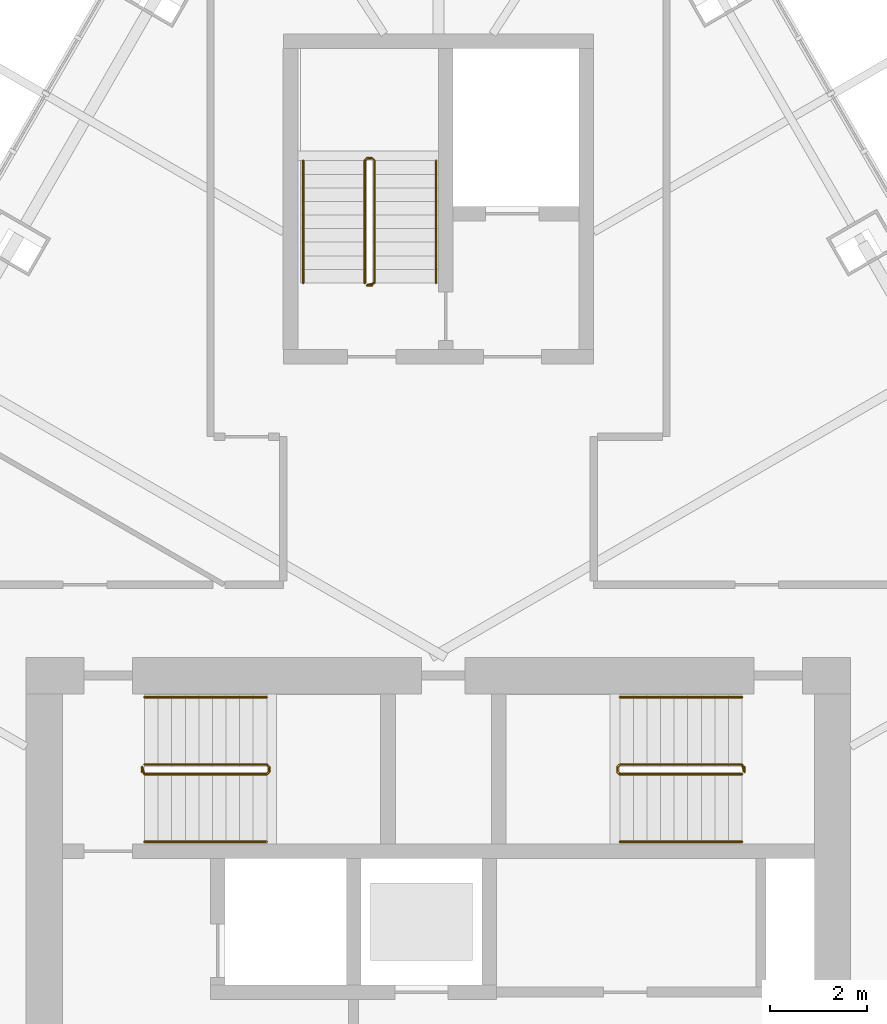
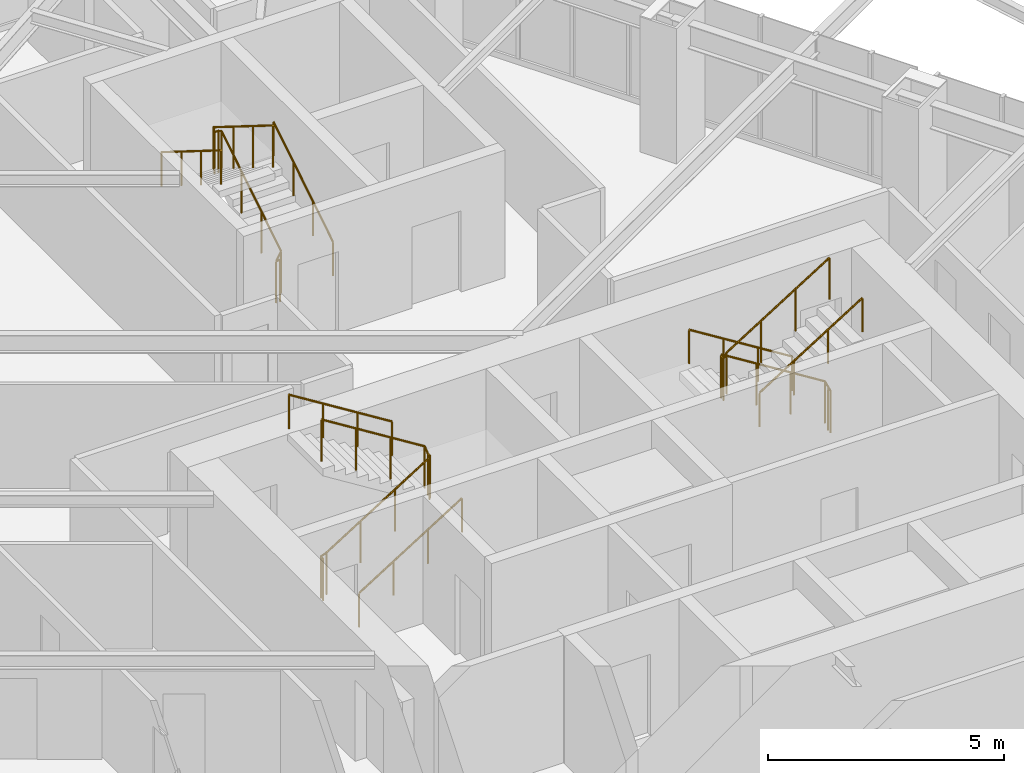
# One storey, part 18 of 19: 9 railings.
"""IFC4 building model written with IfcOpenShell, lengths in metres."""

from ifc_helpers import new_model, si_unit, direction, frame, origin, origin_2d, place, context, subcontext, project, spatial, circle, extrude, material, type_object, element, save


model = new_model("IFC4")

# Units and contexts
model_context = context("Model", 3, precision=1e-05, world=origin(), true_north=direction((0.0, 1.0)))
body_context = subcontext(model_context, "Body", "Model", "MODEL_VIEW")
ifc_project = project(units=[si_unit("LENGTHUNIT", "METRE"), si_unit("AREAUNIT", "SQUARE_METRE"), si_unit("VOLUMEUNIT", "CUBIC_METRE"), si_unit("PLANEANGLEUNIT", "RADIAN"), si_unit("MASSUNIT", "GRAM", prefix="KILO")], contexts=[model_context])

# Site, building, storey
site_placement = place(None, origin())
site = spatial("IfcSite", under=ifc_project, at=site_placement, CompositionType="ELEMENT")
building_placement = place(site_placement, origin())
building = spatial("IfcBuilding", under=site, at=building_placement, Name="Firuza Gate Tower and Library", CompositionType="ELEMENT")
storey_placement = place(building_placement, frame((0.0, 0.0, 316.10009765625)))
storey = spatial("IfcBuildingStorey", under=building, at=storey_placement, Name="L77", CompositionType="ELEMENT", Elevation=316.10009765625)

# Railings
ifc_material_1 = material(Name="Steel S355", Category="steel")
railing_type_1 = type_object("IfcRailingType", Name="Stair guard 1100", PredefinedType="GUARDRAIL", material=ifc_material_1)
railing_1_placement = place(storey_placement, frame((68.889892578125, 79.389892578125, 0.0)))
element("IfcRailing", 1, at=railing_1_placement, inside=storey, type_object=railing_type_1, Name="L77 ST1 stair guard 1", PredefinedType="GUARDRAIL", context=body_context, shape_type="SweptSolid", body=[
    extrude(circle(Radius=0.02392578125, at=origin_2d()), frame((0.0, 0.0, 1.076171875), z_axis=(0.0, 1.0, 0.0), x_axis=(-1.0, 0.0, 0.0)), (0.0, 0.0, 1.0), 0.10009765625),
    extrude(circle(Radius=0.02392578125, at=origin_2d()), frame((0.0, 0.10009765625, 1.076171875), z_axis=(0.212383695785, -0.636115069328, 0.741788908207), x_axis=(0.948528701346, 0.316691178788, 0.0)), (0.0, 0.0, 1.0), 0.235595703125),
    extrude(circle(Radius=0.02392578125, at=origin_2d()), frame((0.050048828125, -0.0498046875, 1.2509765625), z_axis=(0.847970611238, 0.0, 0.530043245855), x_axis=(0.0, 1.0, 0.0)), (0.0, 0.0, 1.0), 2.971923828125),
    extrude(circle(Radius=0.02392578125, at=origin_2d()), frame((2.570068359375, -0.0498046875, 2.826171875), z_axis=(0.708833529934, 0.705375805398, 0.0), x_axis=(-0.705375805398, 0.708833529934, 0.0)), (0.0, 0.0, 1.0), 0.070556640625),
    extrude(circle(Radius=0.02392578125, at=origin_2d()), frame((2.6201171875, 0.0, 2.826171875), z_axis=(0.0, 1.0, 0.0), x_axis=(-1.0, 0.0, 0.0)), (0.0, 0.0, 1.0), 0.10009765625),
    extrude(circle(Radius=0.02392578125, at=origin_2d()), frame((2.6201171875, 0.10009765625, 2.826171875), z_axis=(-0.265383341853, 0.265383341853, 0.926899867156), x_axis=(-0.707106781187, -0.707106781187, 0.0)), (0.0, 0.0, 1.0), 0.1884765625),
    extrude(circle(Radius=0.02392578125, at=origin_2d()), frame((2.570068359375, 0.150146484375, 3.0009765625), z_axis=(-0.847970611238, 0.0, 0.530043245855), x_axis=(0.0, -1.0, 0.0)), (0.0, 0.0, 1.0), 2.971923828125),
    extrude(circle(Radius=0.02099609375, at=origin_2d()), origin(), (0.0, 0.0, 1.0), 1.052001953125),
    extrude(circle(Radius=0.02099609375, at=origin_2d()), frame((0.0, 0.10009765625, 0.0)), (0.0, 0.0, 1.0), 1.052001953125),
    extrude(circle(Radius=0.02099609375, at=origin_2d()), frame((0.050048828125, -0.0498046875, 0.1748046875)), (0.0, 0.0, 1.0), 1.052001953125),
    extrude(circle(Radius=0.02099609375, at=origin_2d()), frame((0.89013671875, -0.0498046875, 0.699951171875)), (0.0, 0.0, 1.0), 1.052001953125),
    extrude(circle(Radius=0.02099609375, at=origin_2d()), frame((1.72998046875, -0.0498046875, 1.224853515625)), (0.0, 0.0, 1.0), 1.052001953125),
    extrude(circle(Radius=0.02099609375, at=origin_2d()), frame((2.570068359375, -0.0498046875, 1.75)), (0.0, 0.0, 1.0), 1.052001953125),
    extrude(circle(Radius=0.02099609375, at=origin_2d()), frame((2.6201171875, 0.0, 1.75)), (0.0, 0.0, 1.0), 1.052001953125),
    extrude(circle(Radius=0.02099609375, at=origin_2d()), frame((2.6201171875, 0.10009765625, 1.75)), (0.0, 0.0, 1.0), 1.052001953125),
    extrude(circle(Radius=0.02099609375, at=origin_2d()), frame((2.570068359375, 0.150146484375, 1.9248046875)), (0.0, 0.0, 1.0), 1.052001953125),
    extrude(circle(Radius=0.02099609375, at=origin_2d()), frame((1.72998046875, 0.150146484375, 2.449951171875)), (0.0, 0.0, 1.0), 1.052001953125),
    extrude(circle(Radius=0.02099609375, at=origin_2d()), frame((0.89013671875, 0.150146484375, 2.974853515625)), (0.0, 0.0, 1.0), 1.052001953125),
    extrude(circle(Radius=0.02099609375, at=origin_2d()), frame((0.050048828125, 0.150146484375, 3.5)), (0.0, 0.0, 1.0), 1.052001953125),
])
railing_2_placement = place(storey_placement, frame((81.31005859375, 79.489990234375, 0.0)))
element("IfcRailing", 2, at=railing_2_placement, inside=storey, type_object=railing_type_1, Name="L77 ST2 stair guard 1", PredefinedType="GUARDRAIL", context=body_context, shape_type="SweptSolid", body=[
    extrude(circle(Radius=0.02392578125, at=origin_2d()), frame((0.0, 0.0, 1.076171875), z_axis=(0.0, -1.0, 0.0), x_axis=(1.0, 0.0, 0.0)), (0.0, 0.0, 1.0), 0.10009765625),
    extrude(circle(Radius=0.02392578125, at=origin_2d()), frame((0.0, -0.10009765625, 1.076171875), z_axis=(-0.21224375372, 0.63673126116, 0.741300134944), x_axis=(-0.948683298051, -0.316227766017, 0.0)), (0.0, 0.0, 1.0), 0.23583984375),
    extrude(circle(Radius=0.02392578125, at=origin_2d()), frame((-0.050048828125, 0.050048828125, 1.2509765625), z_axis=(-0.847970611238, 0.0, 0.530043245855), x_axis=(0.0, -1.0, 0.0)), (0.0, 0.0, 1.0), 2.971923828125),
    extrude(circle(Radius=0.02392578125, at=origin_2d()), frame((-2.570068359375, 0.050048828125, 2.826171875), z_axis=(-0.707106781187, -0.707106781187, 0.0), x_axis=(0.707106781187, -0.707106781187, 0.0)), (0.0, 0.0, 1.0), 0.07080078125),
    extrude(circle(Radius=0.02392578125, at=origin_2d()), frame((-2.6201171875, 0.0, 2.826171875), z_axis=(0.0, -1.0, 0.0), x_axis=(1.0, 0.0, 0.0)), (0.0, 0.0, 1.0), 0.10009765625),
    extrude(circle(Radius=0.02392578125, at=origin_2d()), frame((-2.6201171875, -0.10009765625, 2.826171875), z_axis=(0.265474339444, -0.264179342666, 0.927217692888), x_axis=(0.705375805398, 0.708833529934, 0.0)), (0.0, 0.0, 1.0), 0.1884765625),
    extrude(circle(Radius=0.02392578125, at=origin_2d()), frame((-2.570068359375, -0.14990234375, 3.0009765625), z_axis=(0.847970611238, 0.0, 0.530043245855), x_axis=(0.0, 1.0, 0.0)), (0.0, 0.0, 1.0), 2.971923828125),
    extrude(circle(Radius=0.02099609375, at=origin_2d()), origin(), (0.0, 0.0, 1.0), 1.052001953125),
    extrude(circle(Radius=0.02099609375, at=origin_2d()), frame((0.0, -0.10009765625, 0.0)), (0.0, 0.0, 1.0), 1.052001953125),
    extrude(circle(Radius=0.02099609375, at=origin_2d()), frame((-0.050048828125, 0.050048828125, 0.1748046875)), (0.0, 0.0, 1.0), 1.052001953125),
    extrude(circle(Radius=0.02099609375, at=origin_2d()), frame((-0.89013671875, 0.050048828125, 0.699951171875)), (0.0, 0.0, 1.0), 1.052001953125),
    extrude(circle(Radius=0.02099609375, at=origin_2d()), frame((-1.72998046875, 0.050048828125, 1.224853515625)), (0.0, 0.0, 1.0), 1.052001953125),
    extrude(circle(Radius=0.02099609375, at=origin_2d()), frame((-2.570068359375, 0.050048828125, 1.75)), (0.0, 0.0, 1.0), 1.052001953125),
    extrude(circle(Radius=0.02099609375, at=origin_2d()), frame((-2.6201171875, 0.0, 1.75)), (0.0, 0.0, 1.0), 1.052001953125),
    extrude(circle(Radius=0.02099609375, at=origin_2d()), frame((-2.6201171875, -0.10009765625, 1.75)), (0.0, 0.0, 1.0), 1.052001953125),
    extrude(circle(Radius=0.02099609375, at=origin_2d()), frame((-2.570068359375, -0.14990234375, 1.9248046875)), (0.0, 0.0, 1.0), 1.052001953125),
    extrude(circle(Radius=0.02099609375, at=origin_2d()), frame((-1.72998046875, -0.14990234375, 2.449951171875)), (0.0, 0.0, 1.0), 1.052001953125),
    extrude(circle(Radius=0.02099609375, at=origin_2d()), frame((-0.89013671875, -0.14990234375, 2.974853515625)), (0.0, 0.0, 1.0), 1.052001953125),
    extrude(circle(Radius=0.02099609375, at=origin_2d()), frame((-0.050048828125, -0.14990234375, 3.5)), (0.0, 0.0, 1.0), 1.052001953125),
])
railing_3_placement = place(storey_placement, frame((73.6298828125, 89.419921875, 0.0)))
element("IfcRailing", 3, at=railing_3_placement, inside=storey, type_object=railing_type_1, Name="L77 ST3 stair guard 1", PredefinedType="GUARDRAIL", context=body_context, shape_type="SweptSolid", body=[
    extrude(circle(Radius=0.02392578125, at=origin_2d()), frame((0.0, 0.0, 1.076171875), z_axis=(-1.0, 0.0, 0.0), x_axis=(0.0, -1.0, 0.0)), (0.0, 0.0, 1.0), 0.099853515625),
    extrude(circle(Radius=0.02392578125, at=origin_2d()), frame((-0.099853515625, 0.0, 1.076171875), z_axis=(0.636115069328, 0.212383695785, 0.741788908207), x_axis=(-0.316691178788, 0.948528701346, 0.0)), (0.0, 0.0, 1.0), 0.235595703125),
    extrude(circle(Radius=0.02392578125, at=origin_2d()), frame((0.050048828125, 0.050048828125, 1.2509765625), z_axis=(0.0, 0.847970611238, 0.530043245855), x_axis=(-1.0, 0.0, 0.0)), (0.0, 0.0, 1.0), 2.971923828125),
    extrude(circle(Radius=0.02392578125, at=origin_2d()), frame((0.050048828125, 2.570068359375, 2.826171875), z_axis=(-0.707106781187, 0.707106781187, 0.0), x_axis=(-0.707106781187, -0.707106781187, 0.0)), (0.0, 0.0, 1.0), 0.07080078125),
    extrude(circle(Radius=0.02392578125, at=origin_2d()), frame((0.0, 2.6201171875, 2.826171875), z_axis=(-1.0, 0.0, 0.0), x_axis=(0.0, -1.0, 0.0)), (0.0, 0.0, 1.0), 0.099853515625),
    extrude(circle(Radius=0.02392578125, at=origin_2d()), frame((-0.099853515625, 2.6201171875, 2.826171875), z_axis=(-0.265383341853, -0.265383341853, 0.926899867156), x_axis=(0.707106781187, -0.707106781187, 0.0)), (0.0, 0.0, 1.0), 0.1884765625),
    extrude(circle(Radius=0.02392578125, at=origin_2d()), frame((-0.14990234375, 2.570068359375, 3.0009765625), z_axis=(0.0, -0.847970611238, 0.530043245855), x_axis=(1.0, 0.0, 0.0)), (0.0, 0.0, 1.0), 2.971923828125),
    extrude(circle(Radius=0.02099609375, at=origin_2d()), origin(), (0.0, 0.0, 1.0), 1.052001953125),
    extrude(circle(Radius=0.02099609375, at=origin_2d()), frame((-0.099853515625, 0.0, 0.0)), (0.0, 0.0, 1.0), 1.052001953125),
    extrude(circle(Radius=0.02099609375, at=origin_2d()), frame((0.050048828125, 0.050048828125, 0.1748046875)), (0.0, 0.0, 1.0), 1.052001953125),
    extrude(circle(Radius=0.02099609375, at=origin_2d()), frame((0.050048828125, 0.89013671875, 0.699951171875)), (0.0, 0.0, 1.0), 1.052001953125),
    extrude(circle(Radius=0.02099609375, at=origin_2d()), frame((0.050048828125, 1.72998046875, 1.224853515625)), (0.0, 0.0, 1.0), 1.052001953125),
    extrude(circle(Radius=0.02099609375, at=origin_2d()), frame((0.050048828125, 2.570068359375, 1.75)), (0.0, 0.0, 1.0), 1.052001953125),
    extrude(circle(Radius=0.02099609375, at=origin_2d()), frame((0.0, 2.6201171875, 1.75)), (0.0, 0.0, 1.0), 1.052001953125),
    extrude(circle(Radius=0.02099609375, at=origin_2d()), frame((-0.099853515625, 2.6201171875, 1.75)), (0.0, 0.0, 1.0), 1.052001953125),
    extrude(circle(Radius=0.02099609375, at=origin_2d()), frame((-0.14990234375, 2.570068359375, 1.9248046875)), (0.0, 0.0, 1.0), 1.052001953125),
    extrude(circle(Radius=0.02099609375, at=origin_2d()), frame((-0.14990234375, 1.72998046875, 2.449951171875)), (0.0, 0.0, 1.0), 1.052001953125),
    extrude(circle(Radius=0.02099609375, at=origin_2d()), frame((-0.14990234375, 0.89013671875, 2.974853515625)), (0.0, 0.0, 1.0), 1.052001953125),
    extrude(circle(Radius=0.02099609375, at=origin_2d()), frame((-0.14990234375, 0.050048828125, 3.5)), (0.0, 0.0, 1.0), 1.052001953125),
])
ifc_material_2 = material(Name="Steel S355", Category="steel")
railing_type_2 = type_object("IfcRailingType", Name="Stair handrail 900", PredefinedType="HANDRAIL", material=ifc_material_2)
railing_4_placement = place(storey_placement, frame((68.93994140625, 77.949951171875, 0.1748046875)))
element("IfcRailing", 4, at=railing_4_placement, inside=storey, type_object=railing_type_2, Name="L77 ST1 stair handrail 1", PredefinedType="HANDRAIL", context=body_context, shape_type="SweptSolid", body=[
    extrude(circle(Radius=0.02392578125, at=origin_2d()), frame((0.0, 0.0, 0.8759765625), z_axis=(0.847970611238, 0.0, 0.530043245855), x_axis=(0.0, 1.0, 0.0)), (0.0, 0.0, 1.0), 2.971923828125),
    extrude(circle(Radius=0.02099609375, at=origin_2d()), origin(), (0.0, 0.0, 1.0), 0.851806640625),
    extrude(circle(Radius=0.02099609375, at=origin_2d()), frame((0.840087890625, 0.0, 0.525146484375)), (0.0, 0.0, 1.0), 0.851806640625),
    extrude(circle(Radius=0.02099609375, at=origin_2d()), frame((1.679931640625, 0.0, 1.050048828125)), (0.0, 0.0, 1.0), 0.851806640625),
    extrude(circle(Radius=0.02099609375, at=origin_2d()), frame((2.52001953125, 0.0, 1.5751953125)), (0.0, 0.0, 1.0), 0.851806640625),
])
for number, where, name in (
    (5, (71.4599609375, 80.929931640625, 1.9248046875), "L77 ST1 stair handrail 2"),
    (6, (81.260009765625, 80.929931640625, 0.1748046875), "L77 ST2 stair handrail 1"),
):
    element("IfcRailing", number, at=place(storey_placement, frame(where)), inside=storey, type_object=railing_type_2, Name=name, PredefinedType="HANDRAIL", context=body_context, shape_type="SweptSolid", body=[
        extrude(circle(Radius=0.02392578125, at=origin_2d()), frame((0.0, 0.0, 0.8759765625), z_axis=(-0.847970611238, 0.0, 0.530043245855), x_axis=(0.0, -1.0, 0.0)), (0.0, 0.0, 1.0), 2.971923828125),
        extrude(circle(Radius=0.02099609375, at=origin_2d()), origin(), (0.0, 0.0, 1.0), 0.851806640625),
        extrude(circle(Radius=0.02099609375, at=origin_2d()), frame((-0.840087890625, 0.0, 0.525146484375)), (0.0, 0.0, 1.0), 0.851806640625),
        extrude(circle(Radius=0.02099609375, at=origin_2d()), frame((-1.679931640625, 0.0, 1.050048828125)), (0.0, 0.0, 1.0), 0.851806640625),
        extrude(circle(Radius=0.02099609375, at=origin_2d()), frame((-2.52001953125, 0.0, 1.5751953125)), (0.0, 0.0, 1.0), 0.851806640625),
    ])
railing_5_placement = place(storey_placement, frame((78.739990234375, 77.949951171875, 1.9248046875)))
element("IfcRailing", 7, at=railing_5_placement, inside=storey, type_object=railing_type_2, Name="L77 ST2 stair handrail 2", PredefinedType="HANDRAIL", context=body_context, shape_type="SweptSolid", body=[
    extrude(circle(Radius=0.02392578125, at=origin_2d()), frame((0.0, 0.0, 0.8759765625), z_axis=(0.847970611238, 0.0, 0.530043245855), x_axis=(0.0, 1.0, 0.0)), (0.0, 0.0, 1.0), 2.971923828125),
    extrude(circle(Radius=0.02099609375, at=origin_2d()), origin(), (0.0, 0.0, 1.0), 0.851806640625),
    extrude(circle(Radius=0.02099609375, at=origin_2d()), frame((0.840087890625, 0.0, 0.525146484375)), (0.0, 0.0, 1.0), 0.851806640625),
    extrude(circle(Radius=0.02099609375, at=origin_2d()), frame((1.679931640625, 0.0, 1.050048828125)), (0.0, 0.0, 1.0), 0.851806640625),
    extrude(circle(Radius=0.02099609375, at=origin_2d()), frame((2.52001953125, 0.0, 1.5751953125)), (0.0, 0.0, 1.0), 0.851806640625),
])
railing_6_placement = place(storey_placement, frame((74.949951171875, 89.469970703125, 0.1748046875)))
element("IfcRailing", 8, at=railing_6_placement, inside=storey, type_object=railing_type_2, Name="L77 ST3 stair handrail 1", PredefinedType="HANDRAIL", context=body_context, shape_type="SweptSolid", body=[
    extrude(circle(Radius=0.02392578125, at=origin_2d()), frame((0.0, 0.0, 0.8759765625), z_axis=(0.0, 0.847970611238, 0.530043245855), x_axis=(-1.0, 0.0, 0.0)), (0.0, 0.0, 1.0), 2.971923828125),
    extrude(circle(Radius=0.02099609375, at=origin_2d()), origin(), (0.0, 0.0, 1.0), 0.851806640625),
    extrude(circle(Radius=0.02099609375, at=origin_2d()), frame((0.0, 0.840087890625, 0.525146484375)), (0.0, 0.0, 1.0), 0.851806640625),
    extrude(circle(Radius=0.02099609375, at=origin_2d()), frame((0.0, 1.679931640625, 1.050048828125)), (0.0, 0.0, 1.0), 0.851806640625),
    extrude(circle(Radius=0.02099609375, at=origin_2d()), frame((0.0, 2.52001953125, 1.5751953125)), (0.0, 0.0, 1.0), 0.851806640625),
])
railing_7_placement = place(storey_placement, frame((72.2099609375, 91.989990234375, 1.9248046875)))
element("IfcRailing", 9, at=railing_7_placement, inside=storey, type_object=railing_type_2, Name="L77 ST3 stair handrail 2", PredefinedType="HANDRAIL", context=body_context, shape_type="SweptSolid", body=[
    extrude(circle(Radius=0.02392578125, at=origin_2d()), frame((0.0, 0.0, 0.8759765625), z_axis=(0.0, -0.847970611238, 0.530043245855), x_axis=(1.0, 0.0, 0.0)), (0.0, 0.0, 1.0), 2.971923828125),
    extrude(circle(Radius=0.02099609375, at=origin_2d()), origin(), (0.0, 0.0, 1.0), 0.851806640625),
    extrude(circle(Radius=0.02099609375, at=origin_2d()), frame((0.0, -0.840087890625, 0.525146484375)), (0.0, 0.0, 1.0), 0.851806640625),
    extrude(circle(Radius=0.02099609375, at=origin_2d()), frame((0.0, -1.679931640625, 1.050048828125)), (0.0, 0.0, 1.0), 0.851806640625),
    extrude(circle(Radius=0.02099609375, at=origin_2d()), frame((0.0, -2.52001953125, 1.5751953125)), (0.0, 0.0, 1.0), 0.851806640625),
])

save(model, "model.ifc")
